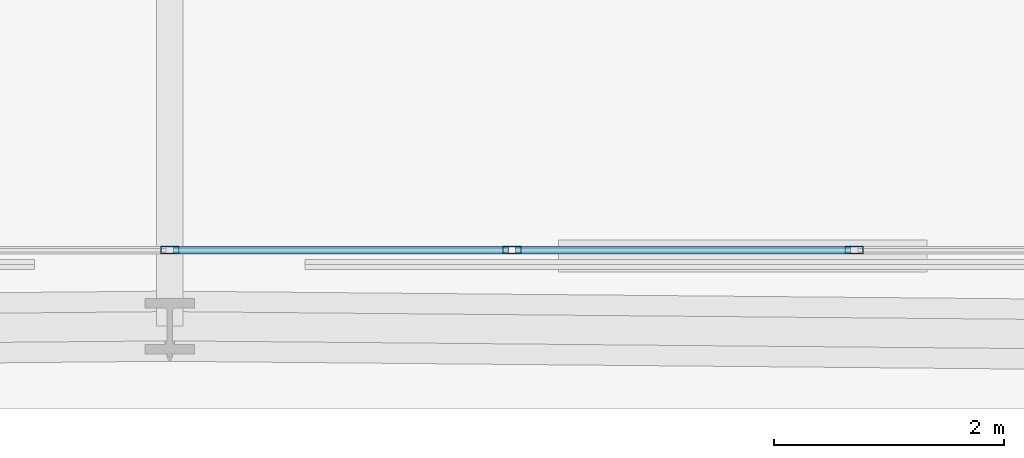
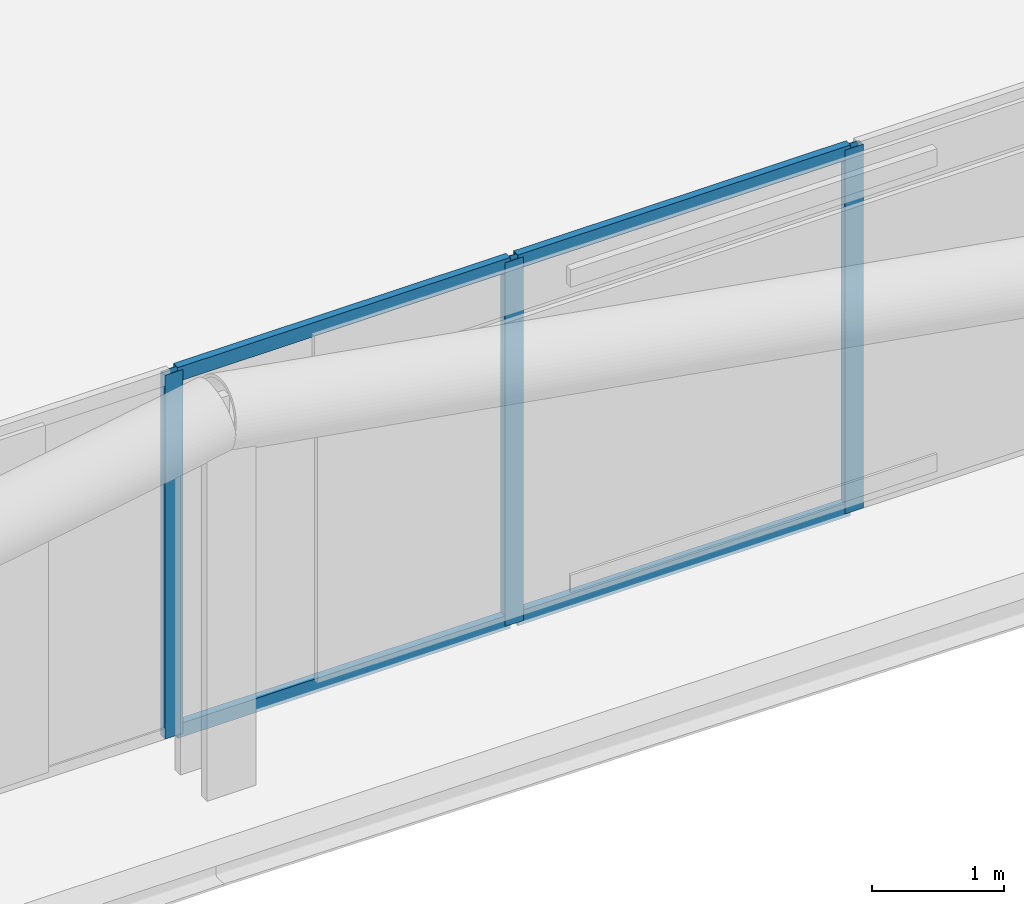
# One storey, part 11 of 50: 7 members, 1 element without a shape of its own.
"""IFC4 building model written with IfcOpenShell, lengths in metres."""

from ifc_helpers import new_model, si_unit, direction, frame, origin, origin_2d, place, context, subcontext, project, spatial, hollow_rectangle, extrude, material, layer, layer_set, material_profile, profile_set, type_object, element, aggregate, save


model = new_model("IFC4")

# Units and contexts
model_context = context("Model", 3, precision=1e-05, world=origin(), true_north=direction((0.0, 1.0)))
body_context = subcontext(model_context, "Body", "Model", "MODEL_VIEW")
ifc_project = project(units=[si_unit("LENGTHUNIT", "METRE"), si_unit("AREAUNIT", "SQUARE_METRE"), si_unit("VOLUMEUNIT", "CUBIC_METRE"), si_unit("PLANEANGLEUNIT", "RADIAN"), si_unit("MASSUNIT", "GRAM", prefix="KILO")], contexts=[model_context])

# Site, building, storey
site_placement = place(None, origin())
site = spatial("IfcSite", under=ifc_project, at=site_placement, CompositionType="ELEMENT")
building_placement = place(site_placement, origin())
building = spatial("IfcBuilding", under=site, at=building_placement, Name="Caelvoria Tower", CompositionType="ELEMENT")
storey_placement = place(building_placement, frame((0.0, 0.0, 71.199951171875)))
storey = spatial("IfcBuildingStorey", under=building, at=storey_placement, Name="L18", CompositionType="ELEMENT", Elevation=71.199951171875)

# Curtain wall, members
ifc_material_1 = material(Name="Anodised Bronze Aluminium and Low-E Glass", Category="aluminium")
ifc_layer = layer(ifc_material_1, 0.18505859375, Name="Anodised Bronze Aluminium and Low-E Glass")
ifc_layer_set = layer_set([ifc_layer], Name="CW System 2 Lower Tower Bronze Unitised Facade - Anodised Bronze Aluminium and Low-E Glass")
curtain_wall_type = type_object("IfcCurtainWallType", Name="CW System 2 Lower Tower Bronze Unitised Facade", PredefinedType="NOTDEFINED", material=ifc_layer_set)
curtain_wall_placement = place(storey_placement, origin())
curtain_wall = element("IfcCurtainWall", 1, at=curtain_wall_placement, inside=storey, type_object=curtain_wall_type, Name="CW-02 Curtain Wall L18-E0", PredefinedType="NOTDEFINED")
ifc_material_2 = material(Name="Anodised Bronze Architectural Aluminium", Category="aluminium")
ifc_material_profile_1 = material_profile(ifc_material_2, hollow_rectangle(XDim=0.06494140625, YDim=0.159912109375, WallThickness=0.00390625, at=origin_2d()), Name="Anodised Bronze Architectural Aluminium")
ifc_profile_set_1 = profile_set([ifc_material_profile_1], Name="CW_MULL_65X160 - Anodised Bronze Architectural Aluminium")
member_type_1 = type_object("IfcMemberType", Name="Curtain Wall Mullion 65x160 Bronze Aluminium", PredefinedType="MULLION", material=ifc_profile_set_1)
member_1_placement = place(storey_placement, frame((46.0, 10.179931640625, 0.0), z_axis=(0.0, 0.0, 1.0), x_axis=(0.0, 1.0, 0.0)))
member_1 = element("IfcMember", 2, at=member_1_placement, type_object=member_type_1, Name="CW-02 mullion 8", PredefinedType="MULLION", context=body_context, shape_type="SweptSolid", body=[
    extrude(hollow_rectangle(XDim=0.06494140625, YDim=0.159912109375, WallThickness=0.00390625, at=origin_2d()), origin(), (0.0, 0.0, 1.0), 3.360107421875),
])
member_2_placement = place(storey_placement, frame((48.971435546875, 10.179931640625, 0.0), z_axis=(0.0, 0.0, 1.0), x_axis=(0.0, 1.0, 0.0)))
member_2 = element("IfcMember", 3, at=member_2_placement, type_object=member_type_1, Name="CW-02 mullion 9", PredefinedType="MULLION", context=body_context, shape_type="SweptSolid", body=[
    extrude(hollow_rectangle(XDim=0.06494140625, YDim=0.159912109375, WallThickness=0.00390625, at=origin_2d()), origin(), (0.0, 0.0, 1.0), 3.360107421875),
])
member_3_placement = place(storey_placement, frame((51.94287109375, 10.179931640625, 0.0), z_axis=(0.0, 0.0, 1.0), x_axis=(0.0, 1.0, 0.0)))
member_3 = element("IfcMember", 4, at=member_3_placement, type_object=member_type_1, Name="CW-02 mullion 10", PredefinedType="MULLION", context=body_context, shape_type="SweptSolid", body=[
    extrude(hollow_rectangle(XDim=0.06494140625, YDim=0.159912109375, WallThickness=0.00390625, at=origin_2d()), origin(), (0.0, 0.0, 1.0), 3.360107421875),
])
ifc_material_profile_2 = material_profile(ifc_material_2, hollow_rectangle(XDim=0.06494140625, YDim=0.1298828125, WallThickness=0.00341796875, at=origin_2d()), Name="Anodised Bronze Architectural Aluminium")
ifc_profile_set_2 = profile_set([ifc_material_profile_2], Name="CW_TRAN_65X130 - Anodised Bronze Architectural Aluminium")
member_type_2 = type_object("IfcMemberType", Name="Curtain Wall Transom 65x130 Bronze Aluminium", PredefinedType="USERDEFINED", material=ifc_profile_set_2)
member_4_placement = place(storey_placement, frame((46.032470703125, 10.179931640625, 0.032470703125), z_axis=(1.0, 0.0, 0.0), x_axis=(0.0, 1.0, 0.0)))
member_4 = element("IfcMember", 5, at=member_4_placement, type_object=member_type_2, Name="CW-02 transom 8.1", ObjectType="TRANSOM", PredefinedType="USERDEFINED", context=body_context, shape_type="SweptSolid", body=[
    extrude(hollow_rectangle(XDim=0.06494140625, YDim=0.1298828125, WallThickness=0.00341796875, at=origin_2d()), origin(), (0.0, 0.0, 1.0), 2.906494140625),
])
member_5_placement = place(storey_placement, frame((46.032470703125, 10.179931640625, 3.32763671875), z_axis=(1.0, 0.0, 0.0), x_axis=(0.0, 1.0, 0.0)))
member_5 = element("IfcMember", 6, at=member_5_placement, type_object=member_type_2, Name="CW-02 transom 8.2", ObjectType="TRANSOM", PredefinedType="USERDEFINED", context=body_context, shape_type="SweptSolid", body=[
    extrude(hollow_rectangle(XDim=0.06494140625, YDim=0.1298828125, WallThickness=0.00341796875, at=origin_2d()), origin(), (0.0, 0.0, 1.0), 2.906494140625),
])
member_6_placement = place(storey_placement, frame((49.00390625, 10.179931640625, 0.032470703125), z_axis=(1.0, 0.0, 0.0), x_axis=(0.0, 1.0, 0.0)))
member_6 = element("IfcMember", 7, at=member_6_placement, type_object=member_type_2, Name="CW-02 transom 9.1", ObjectType="TRANSOM", PredefinedType="USERDEFINED", context=body_context, shape_type="SweptSolid", body=[
    extrude(hollow_rectangle(XDim=0.06494140625, YDim=0.1298828125, WallThickness=0.00341796875, at=origin_2d()), origin(), (0.0, 0.0, 1.0), 2.906494140625),
])
member_7_placement = place(storey_placement, frame((49.00390625, 10.179931640625, 3.32763671875), z_axis=(1.0, 0.0, 0.0), x_axis=(0.0, 1.0, 0.0)))
member_7 = element("IfcMember", 8, at=member_7_placement, type_object=member_type_2, Name="CW-02 transom 9.2", ObjectType="TRANSOM", PredefinedType="USERDEFINED", context=body_context, shape_type="SweptSolid", body=[
    extrude(hollow_rectangle(XDim=0.06494140625, YDim=0.1298828125, WallThickness=0.00341796875, at=origin_2d()), origin(), (0.0, 0.0, 1.0), 2.906494140625),
])
aggregate(curtain_wall, [member_1, member_2, member_3, member_4, member_5, member_6, member_7])

save(model, "model.ifc")
